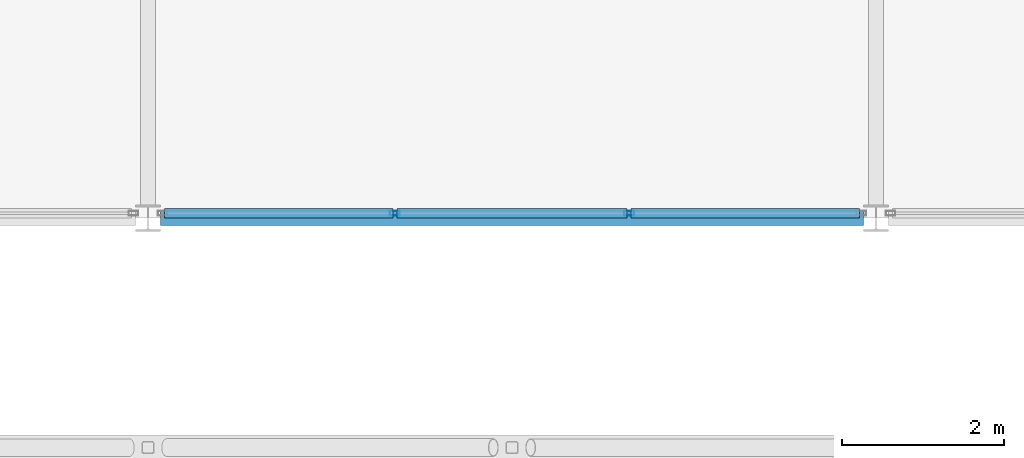
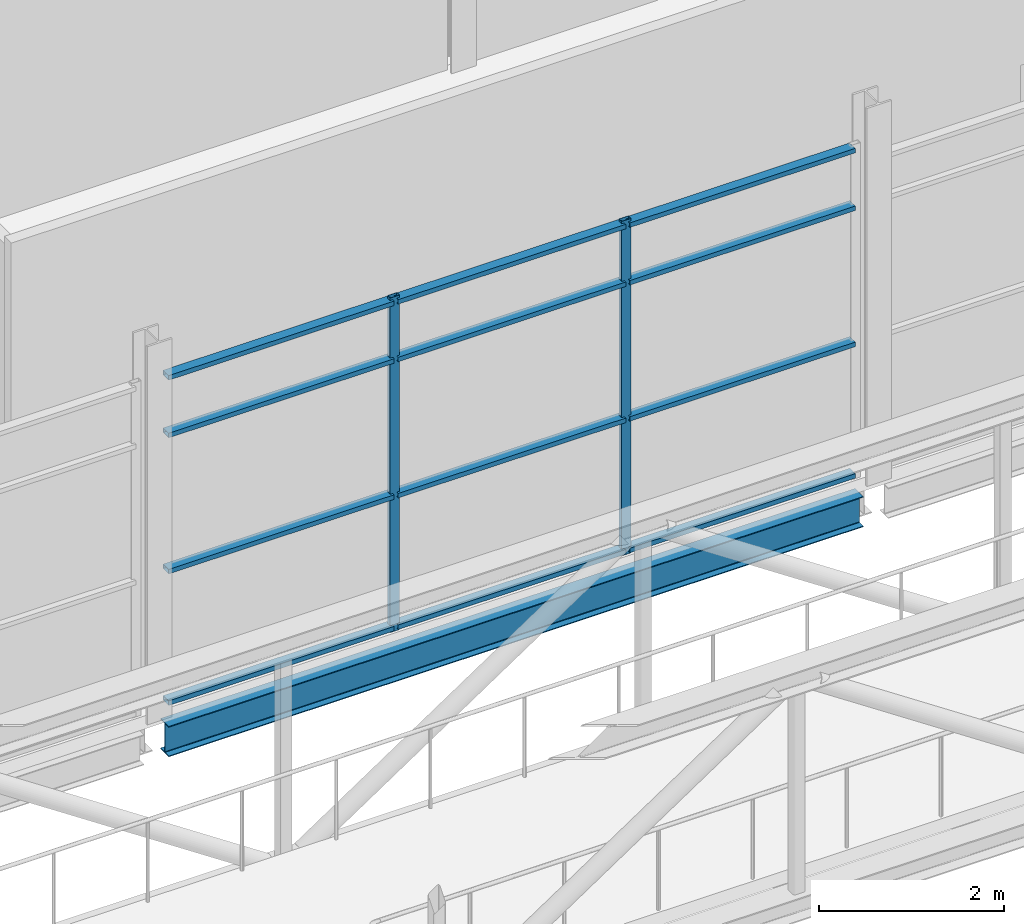
# One storey, part 57 of 115: 14 members, 1 beam, 1 element without a shape of its own.
"""IFC4 building model written with IfcOpenShell, lengths in metres."""

from ifc_helpers import new_model, si_unit, direction, frame, origin, origin_2d, place, context, subcontext, project, spatial, hollow_rectangle, i_section, extrude, material, layer, layer_set, material_profile, profile_set, type_object, element, aggregate, save


model = new_model("IFC4")

# Units and contexts
model_context = context("Model", 3, precision=1e-05, world=origin(), true_north=direction((0.0, 1.0)))
body_context = subcontext(model_context, "Body", "Model", "MODEL_VIEW")
ifc_project = project(units=[si_unit("LENGTHUNIT", "METRE"), si_unit("AREAUNIT", "SQUARE_METRE"), si_unit("VOLUMEUNIT", "CUBIC_METRE"), si_unit("PLANEANGLEUNIT", "RADIAN"), si_unit("MASSUNIT", "GRAM", prefix="KILO")], contexts=[model_context])

# Site, building, storey
site_placement = place(None, origin())
site = spatial("IfcSite", under=ifc_project, at=site_placement, CompositionType="ELEMENT")
building_placement = place(site_placement, origin())
building = spatial("IfcBuilding", under=site, at=building_placement, Name="Shorebreak Coast Museum", CompositionType="ELEMENT")
storey_placement = place(building_placement, frame((0.0, 0.0, 11.0)))
storey = spatial("IfcBuildingStorey", under=building, at=storey_placement, Name="L02", CompositionType="ELEMENT", Elevation=11.0)

# Beam
ifc_material_1 = material(Name="Steel Grade 300", Category="steel")
ifc_material_profile_1 = material_profile(ifc_material_1, i_section(OverallWidth=0.177978515625, OverallDepth=0.402587890625, WebThickness=0.007568359375, FlangeThickness=0.010986328125, FilletRadius=0.011474609375, at=origin_2d()), Name="410UB53.7")
ifc_profile_set_1 = profile_set([ifc_material_profile_1], Name="Steel Grade 300")
beam_type = type_object("IfcBeamType", Name="Floor girder east-west 410UB53.7", PredefinedType="BEAM", material=ifc_profile_set_1)
beam_placement = place(storey_placement, frame((72.155517578125, 81.0, -0.376220703125), z_axis=(1.0, 0.0, 0.0), x_axis=(0.0, 1.0, 0.0)))
element("IfcBeam", 1, at=beam_placement, inside=storey, type_object=beam_type, Name="Floor girder east-west L02 9K", PredefinedType="BEAM", context=body_context, shape_type="SweptSolid", body=[
    extrude(i_section(OverallWidth=0.177978515625, OverallDepth=0.402587890625, WebThickness=0.007568359375, FlangeThickness=0.010986328125, FilletRadius=0.011474609375, at=origin_2d()), origin(), (0.0, 0.0, 1.0), 8.68896484375),
])

# Curtain wall, members
ifc_material_2 = material(Name="Aluminium", Category="aluminium")
ifc_layer = layer(ifc_material_2, 0.1201171875)
ifc_layer_set = layer_set([ifc_layer], Name="Aluminium")
curtain_wall_type = type_object("IfcCurtainWallType", Name="Atrium fire screen", PredefinedType="NOTDEFINED", material=ifc_layer_set)
curtain_wall_placement = place(storey_placement, origin())
curtain_wall = element("IfcCurtainWall", 2, at=curtain_wall_placement, inside=storey, type_object=curtain_wall_type, Name="Atrium screen L02 N 23", PredefinedType="NOTDEFINED")
ifc_material_3 = material(Name="Aluminium", Category="aluminium")
ifc_material_profile_2 = material_profile(ifc_material_3, hollow_rectangle(XDim=0.06005859375, YDim=0.1201171875, WallThickness=0.00341796875, at=origin_2d()), Name="AL 120x60 RHS")
ifc_profile_set_2 = profile_set([ifc_material_profile_2], Name="Aluminium")
member_type_1 = type_object("IfcMemberType", Name="Screen mullion 50 x 120", PredefinedType="MULLION", material=ifc_profile_set_2)
member_1_placement = place(storey_placement, frame((75.0517578125, 81.06005859375, 0.0), z_axis=(0.0, 0.0, 1.0), x_axis=(0.0, 1.0, 0.0)))
member_1 = element("IfcMember", 3, at=member_1_placement, type_object=member_type_1, Name="CW6 mullion 2", PredefinedType="MULLION", context=body_context, shape_type="SweptSolid", body=[
    extrude(hollow_rectangle(XDim=0.06005859375, YDim=0.1201171875, WallThickness=0.00341796875, at=origin_2d()), origin(), (0.0, 0.0, 1.0), 4.42236328125),
])
member_2_placement = place(storey_placement, frame((77.9482421875, 81.06005859375, 0.0), z_axis=(0.0, 0.0, 1.0), x_axis=(0.0, 1.0, 0.0)))
member_2 = element("IfcMember", 4, at=member_2_placement, type_object=member_type_1, Name="CW6 mullion 3", PredefinedType="MULLION", context=body_context, shape_type="SweptSolid", body=[
    extrude(hollow_rectangle(XDim=0.06005859375, YDim=0.1201171875, WallThickness=0.00341796875, at=origin_2d()), origin(), (0.0, 0.0, 1.0), 4.42236328125),
])
ifc_material_4 = material(Name="Aluminium", Category="aluminium")
ifc_material_profile_3 = material_profile(ifc_material_4, hollow_rectangle(XDim=0.1201171875, YDim=0.06005859375, WallThickness=0.00341796875, at=origin_2d()), Name="AL 60x120 RHS")
ifc_profile_set_3 = profile_set([ifc_material_profile_3], Name="Aluminium")
member_type_2 = type_object("IfcMemberType", Name="Screen transom 120 x 50", PredefinedType="USERDEFINED", material=ifc_profile_set_3)
member_3_placement = place(storey_placement, frame((72.20556640625, 81.06005859375, 0.06005859375), z_axis=(1.0, 0.0, 0.0), x_axis=(0.0, 1.0, 0.0)))
member_3 = element("IfcMember", 5, at=member_3_placement, type_object=member_type_2, Name="CW6 transom 1.1", ObjectType="TRANSOM", PredefinedType="USERDEFINED", context=body_context, shape_type="SweptSolid", body=[
    extrude(hollow_rectangle(XDim=0.1201171875, YDim=0.06005859375, WallThickness=0.00341796875, at=origin_2d()), origin(), (0.0, 0.0, 1.0), 2.8212890625),
])
member_4_placement = place(storey_placement, frame((72.20556640625, 81.06005859375, 1.800048828125), z_axis=(1.0, 0.0, 0.0), x_axis=(0.0, 1.0, 0.0)))
member_4 = element("IfcMember", 6, at=member_4_placement, type_object=member_type_2, Name="CW6 transom 1.2", ObjectType="TRANSOM", PredefinedType="USERDEFINED", context=body_context, shape_type="SweptSolid", body=[
    extrude(hollow_rectangle(XDim=0.1201171875, YDim=0.06005859375, WallThickness=0.00341796875, at=origin_2d()), origin(), (0.0, 0.0, 1.0), 2.8212890625),
])
member_5_placement = place(storey_placement, frame((72.20556640625, 81.06005859375, 3.60009765625), z_axis=(1.0, 0.0, 0.0), x_axis=(0.0, 1.0, 0.0)))
member_5 = element("IfcMember", 7, at=member_5_placement, type_object=member_type_2, Name="CW6 transom 1.3", ObjectType="TRANSOM", PredefinedType="USERDEFINED", context=body_context, shape_type="SweptSolid", body=[
    extrude(hollow_rectangle(XDim=0.1201171875, YDim=0.06005859375, WallThickness=0.00341796875, at=origin_2d()), origin(), (0.0, 0.0, 1.0), 2.8212890625),
])
member_6_placement = place(storey_placement, frame((72.20556640625, 81.06005859375, 4.3623046875), z_axis=(1.0, 0.0, 0.0), x_axis=(0.0, 1.0, 0.0)))
member_6 = element("IfcMember", 8, at=member_6_placement, type_object=member_type_2, Name="CW6 transom 1.4", ObjectType="TRANSOM", PredefinedType="USERDEFINED", context=body_context, shape_type="SweptSolid", body=[
    extrude(hollow_rectangle(XDim=0.1201171875, YDim=0.06005859375, WallThickness=0.00341796875, at=origin_2d()), origin(), (0.0, 0.0, 1.0), 2.8212890625),
])
member_7_placement = place(storey_placement, frame((75.076904296875, 81.06005859375, 0.06005859375), z_axis=(1.0, 0.0, 0.0), x_axis=(0.0, 1.0, 0.0)))
member_7 = element("IfcMember", 9, at=member_7_placement, type_object=member_type_2, Name="CW6 transom 2.1", ObjectType="TRANSOM", PredefinedType="USERDEFINED", context=body_context, shape_type="SweptSolid", body=[
    extrude(hollow_rectangle(XDim=0.1201171875, YDim=0.06005859375, WallThickness=0.00341796875, at=origin_2d()), origin(), (0.0, 0.0, 1.0), 2.84619140625),
])
member_8_placement = place(storey_placement, frame((75.076904296875, 81.06005859375, 1.800048828125), z_axis=(1.0, 0.0, 0.0), x_axis=(0.0, 1.0, 0.0)))
member_8 = element("IfcMember", 10, at=member_8_placement, type_object=member_type_2, Name="CW6 transom 2.2", ObjectType="TRANSOM", PredefinedType="USERDEFINED", context=body_context, shape_type="SweptSolid", body=[
    extrude(hollow_rectangle(XDim=0.1201171875, YDim=0.06005859375, WallThickness=0.00341796875, at=origin_2d()), origin(), (0.0, 0.0, 1.0), 2.84619140625),
])
member_9_placement = place(storey_placement, frame((75.076904296875, 81.06005859375, 3.60009765625), z_axis=(1.0, 0.0, 0.0), x_axis=(0.0, 1.0, 0.0)))
member_9 = element("IfcMember", 11, at=member_9_placement, type_object=member_type_2, Name="CW6 transom 2.3", ObjectType="TRANSOM", PredefinedType="USERDEFINED", context=body_context, shape_type="SweptSolid", body=[
    extrude(hollow_rectangle(XDim=0.1201171875, YDim=0.06005859375, WallThickness=0.00341796875, at=origin_2d()), origin(), (0.0, 0.0, 1.0), 2.84619140625),
])
member_10_placement = place(storey_placement, frame((75.076904296875, 81.06005859375, 4.3623046875), z_axis=(1.0, 0.0, 0.0), x_axis=(0.0, 1.0, 0.0)))
member_10 = element("IfcMember", 12, at=member_10_placement, type_object=member_type_2, Name="CW6 transom 2.4", ObjectType="TRANSOM", PredefinedType="USERDEFINED", context=body_context, shape_type="SweptSolid", body=[
    extrude(hollow_rectangle(XDim=0.1201171875, YDim=0.06005859375, WallThickness=0.00341796875, at=origin_2d()), origin(), (0.0, 0.0, 1.0), 2.84619140625),
])
member_11_placement = place(storey_placement, frame((77.97314453125, 81.06005859375, 0.06005859375), z_axis=(1.0, 0.0, 0.0), x_axis=(0.0, 1.0, 0.0)))
member_11 = element("IfcMember", 13, at=member_11_placement, type_object=member_type_2, Name="CW6 transom 3.1", ObjectType="TRANSOM", PredefinedType="USERDEFINED", context=body_context, shape_type="SweptSolid", body=[
    extrude(hollow_rectangle(XDim=0.1201171875, YDim=0.06005859375, WallThickness=0.00341796875, at=origin_2d()), origin(), (0.0, 0.0, 1.0), 2.8212890625),
])
member_12_placement = place(storey_placement, frame((77.97314453125, 81.06005859375, 1.800048828125), z_axis=(1.0, 0.0, 0.0), x_axis=(0.0, 1.0, 0.0)))
member_12 = element("IfcMember", 14, at=member_12_placement, type_object=member_type_2, Name="CW6 transom 3.2", ObjectType="TRANSOM", PredefinedType="USERDEFINED", context=body_context, shape_type="SweptSolid", body=[
    extrude(hollow_rectangle(XDim=0.1201171875, YDim=0.06005859375, WallThickness=0.00341796875, at=origin_2d()), origin(), (0.0, 0.0, 1.0), 2.8212890625),
])
member_13_placement = place(storey_placement, frame((77.97314453125, 81.06005859375, 3.60009765625), z_axis=(1.0, 0.0, 0.0), x_axis=(0.0, 1.0, 0.0)))
member_13 = element("IfcMember", 15, at=member_13_placement, type_object=member_type_2, Name="CW6 transom 3.3", ObjectType="TRANSOM", PredefinedType="USERDEFINED", context=body_context, shape_type="SweptSolid", body=[
    extrude(hollow_rectangle(XDim=0.1201171875, YDim=0.06005859375, WallThickness=0.00341796875, at=origin_2d()), origin(), (0.0, 0.0, 1.0), 2.8212890625),
])
member_14_placement = place(storey_placement, frame((77.97314453125, 81.06005859375, 4.3623046875), z_axis=(1.0, 0.0, 0.0), x_axis=(0.0, 1.0, 0.0)))
member_14 = element("IfcMember", 16, at=member_14_placement, type_object=member_type_2, Name="CW6 transom 3.4", ObjectType="TRANSOM", PredefinedType="USERDEFINED", context=body_context, shape_type="SweptSolid", body=[
    extrude(hollow_rectangle(XDim=0.1201171875, YDim=0.06005859375, WallThickness=0.00341796875, at=origin_2d()), origin(), (0.0, 0.0, 1.0), 2.8212890625),
])
aggregate(curtain_wall, [member_1, member_2, member_3, member_4, member_5, member_6, member_7, member_8, member_9, member_10, member_11, member_12, member_13, member_14])

save(model, "model.ifc")
